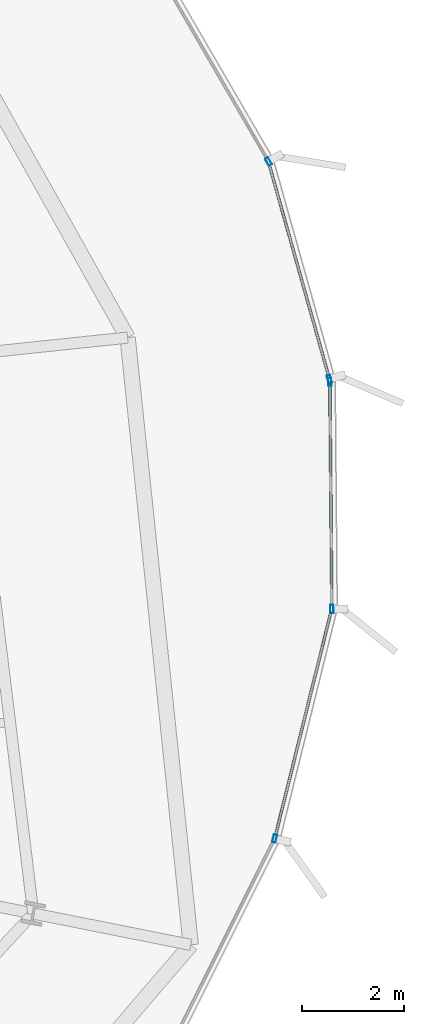
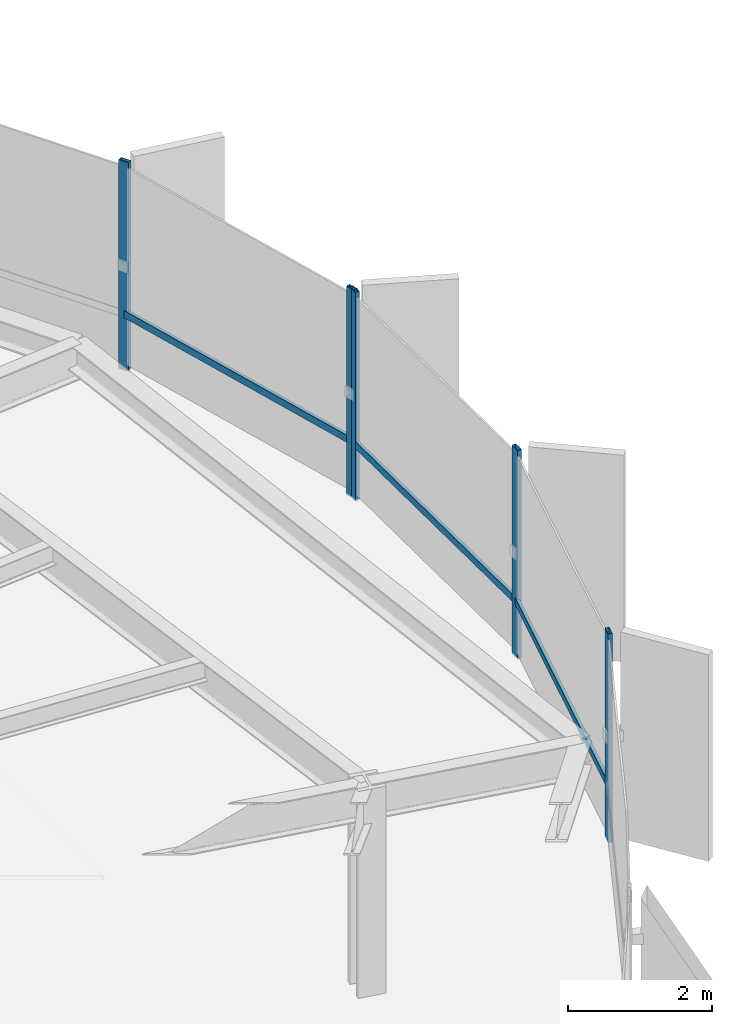
# One storey, part 29 of 38: 8 members, 2 elements without a shape of their own.
"""IFC4 building model written with IfcOpenShell, lengths in metres."""

from ifc_helpers import new_model, si_unit, direction, frame, origin, origin_2d, place, context, subcontext, project, spatial, hollow_rectangle, extrude, source, transform, mapped, material, layer, layer_set, material_profile, profile_set, type_object, element, aggregate, save


model = new_model("IFC4")

# Units and contexts
model_context = context("Model", 3, precision=1e-05, world=origin(), true_north=direction((0.0, 1.0)))
body_context = subcontext(model_context, "Body", "Model", "MODEL_VIEW")
ifc_project = project(units=[si_unit("LENGTHUNIT", "METRE"), si_unit("AREAUNIT", "SQUARE_METRE"), si_unit("VOLUMEUNIT", "CUBIC_METRE"), si_unit("PLANEANGLEUNIT", "RADIAN"), si_unit("MASSUNIT", "GRAM", prefix="KILO"), si_unit("THERMODYNAMICTEMPERATUREUNIT", "KELVIN")], contexts=[model_context])

# Site, building, storey
site_placement = place(None, origin())
site = spatial("IfcSite", under=ifc_project, at=site_placement, CompositionType="ELEMENT")
building_placement = place(site_placement, origin())
building = spatial("IfcBuilding", under=site, at=building_placement, Name="Kethvar Cultural Tower", CompositionType="ELEMENT")
storey_placement = place(building_placement, frame((0.0, 0.0, 63.800048828125)))
storey = spatial("IfcBuildingStorey", under=building, at=storey_placement, Name="L15", CompositionType="ELEMENT", Elevation=63.800048828125)

# Curtain wall, members
ifc_material = material(Name="Aluminium 6063-T6", Category="aluminium")
ifc_layer = layer(ifc_material, 0.179931640625, Name="Aluminium 6063-T6", Category="aluminium")
ifc_layer_set = layer_set([ifc_layer], Name="Aluminium 6063-T6 (180 mm)")
curtain_wall_type = type_object("IfcCurtainWallType", Name="CW-SYS-02-Z1", PredefinedType="NOTDEFINED", material=ifc_layer_set)
curtain_wall_1_placement = place(storey_placement, origin())
curtain_wall_1 = element("IfcCurtainWall", 1, at=curtain_wall_1_placement, inside=storey, type_object=curtain_wall_type, Name="L15 Curtain Wall Run 01", PredefinedType="NOTDEFINED")
ifc_material_profile_1 = material_profile(ifc_material, hollow_rectangle(XDim=0.06494140625, YDim=0.159912109375, WallThickness=0.0048828125, at=origin_2d()), Name="Aluminium 6063-T6 — RHS160x65x5")
ifc_profile_set_1 = profile_set([ifc_material_profile_1], Name="Aluminium 6063-T6 — RHS160x65x5")
member_type_1 = type_object("IfcMemberType", Name="CW-SYS-02-Z1-MUL", PredefinedType="MULLION", material=ifc_profile_set_1)
shared_shape_1 = source(origin(), body_context, "Body", "SweptSolid", [
    extrude(hollow_rectangle(XDim=0.06494140625, YDim=0.159912109375, WallThickness=0.0048828125, at=origin_2d()), origin(), (0.0, 0.0, 1.0), 3.550048828125),
])
member_1_placement = place(storey_placement, frame((80.7939453125, 32.664306640625, 0.0), z_axis=(0.0, 0.0, 1.0), x_axis=(-0.962738960451, -0.270432420449, 0.0)))
member_1 = element("IfcMember", 2, at=member_1_placement, type_object=member_type_1, Name="CW-L15-R01 Mullion 1", PredefinedType="MULLION", context=body_context, shape_type="MappedRepresentation", body=[
    mapped(shared_shape_1, transform((0.0, 0.0, 0.0), scale=1.0)),
])
member_2_placement = place(storey_placement, frame((79.600830078125, 36.925537109375, 0.0), z_axis=(0.0, 0.0, 1.0), x_axis=(-0.864967549178, -0.501827798024, 0.0)))
member_2 = element("IfcMember", 3, at=member_2_placement, type_object=member_type_1, Name="CW-L15-R01 Mullion 2", PredefinedType="MULLION", context=body_context, shape_type="MappedRepresentation", body=[
    mapped(shared_shape_1, transform((0.0, 0.0, 0.0), scale=1.0)),
])

curtain_wall_2_placement = place(storey_placement, origin())
curtain_wall_2 = element("IfcCurtainWall", 4, at=curtain_wall_2_placement, inside=storey, type_object=curtain_wall_type, Name="L15 Curtain Wall Run 06", PredefinedType="NOTDEFINED")
member_3_placement = place(storey_placement, frame((79.72265625, 23.66259765625, 0.0), z_axis=(0.0, 0.0, 1.0), x_axis=(-0.970628368203, 0.240583812506, 0.0)))
member_3 = element("IfcMember", 5, at=member_3_placement, type_object=member_type_1, Name="CW-L15-R06 Mullion 5", PredefinedType="MULLION", context=body_context, shape_type="MappedRepresentation", body=[
    mapped(shared_shape_1, transform((0.0, 0.0, 0.0), scale=1.0)),
])
member_4_placement = place(storey_placement, frame((80.8408203125, 28.158203125, 0.0), z_axis=(0.0, 0.0, 1.0), x_axis=(-0.999960384766, -0.008901061644, 0.0)))
member_4 = element("IfcMember", 6, at=member_4_placement, type_object=member_type_1, Name="CW-L15-R06 Mullion 6", PredefinedType="MULLION", context=body_context, shape_type="MappedRepresentation", body=[
    mapped(shared_shape_1, transform((0.0, 0.0, 0.0), scale=1.0)),
])
member_5_placement = place(storey_placement, frame((80.80126953125, 32.61279296875, 0.0), z_axis=(0.0, 0.0, 1.0), x_axis=(-0.999960384766, -0.008901061644, 0.0)))
member_5 = element("IfcMember", 7, at=member_5_placement, type_object=member_type_1, Name="CW-L15-R06 Mullion 7", PredefinedType="MULLION", context=body_context, shape_type="MappedRepresentation", body=[
    mapped(shared_shape_1, transform((0.0, 0.0, 0.0), scale=1.0)),
])

# Member
ifc_material_profile_2 = material_profile(ifc_material, hollow_rectangle(XDim=0.054931640625, YDim=0.1201171875, WallThickness=0.00390625, at=origin_2d()), Name="Aluminium 6063-T6 — RHS120x55x4")
ifc_profile_set_2 = profile_set([ifc_material_profile_2], Name="Aluminium 6063-T6 — RHS120x55x4")
member_type_2 = type_object("IfcMemberType", Name="CW-SYS-02-Z1-TRN", PredefinedType="USERDEFINED", material=ifc_profile_set_2)
shared_shape_2 = source(origin(), body_context, "Body", "SweptSolid", [
    extrude(hollow_rectangle(XDim=0.054931640625, YDim=0.1201171875, WallThickness=0.00390625, at=origin_2d()), origin(), (0.0, 0.0, 1.0), 4.403564453125),
])
member_6_placement = place(storey_placement, frame((80.792724609375, 32.668701171875, 0.949951171875), z_axis=(-0.270442117035, 0.962736236637, 0.0), x_axis=(-0.962736236637, -0.270442117035, 0.0)))
member_6 = element("IfcMember", 8, at=member_6_placement, type_object=member_type_2, Name="CW-L15-R01 Transom 1", ObjectType="TRANSOM", PredefinedType="USERDEFINED", context=body_context, shape_type="MappedRepresentation", body=[
    mapped(shared_shape_2, transform((0.0, 0.0, 0.0), scale=1.0)),
])

aggregate(curtain_wall_1, [member_1, member_2, member_6])

member_7_placement = place(storey_placement, frame((80.840576171875, 28.204833984375, 0.949951171875), z_axis=(-0.00892623563, 0.999960160365, 0.0), x_axis=(-0.999960160365, -0.00892623563, 0.0)))
member_7 = element("IfcMember", 9, at=member_7_placement, type_object=member_type_2, Name="CW-L15-R06 Transom 6", ObjectType="TRANSOM", PredefinedType="USERDEFINED", context=body_context, shape_type="MappedRepresentation", body=[
    mapped(shared_shape_2, transform((0.0, 0.0, 0.0), scale=1.0)),
])

shared_shape_3 = source(origin(), body_context, "Body", "SweptSolid", [
    extrude(hollow_rectangle(XDim=0.054931640625, YDim=0.1201171875, WallThickness=0.00390625, at=origin_2d()), origin(), (0.0, 0.0, 1.0), 4.56884765625),
])
member_8_placement = place(storey_placement, frame((79.73388671875, 23.7080078125, 0.949951171875), z_axis=(0.240624018024, 0.970618401819, 0.0), x_axis=(-0.970618401819, 0.240624018024, 0.0)))
member_8 = element("IfcMember", 10, at=member_8_placement, type_object=member_type_2, Name="CW-L15-R06 Transom 5", ObjectType="TRANSOM", PredefinedType="USERDEFINED", context=body_context, shape_type="MappedRepresentation", body=[
    mapped(shared_shape_3, transform((0.0, 0.0, 0.0), scale=1.0)),
])

aggregate(curtain_wall_2, [member_3, member_4, member_5, member_8, member_7])

save(model, "model.ifc")
